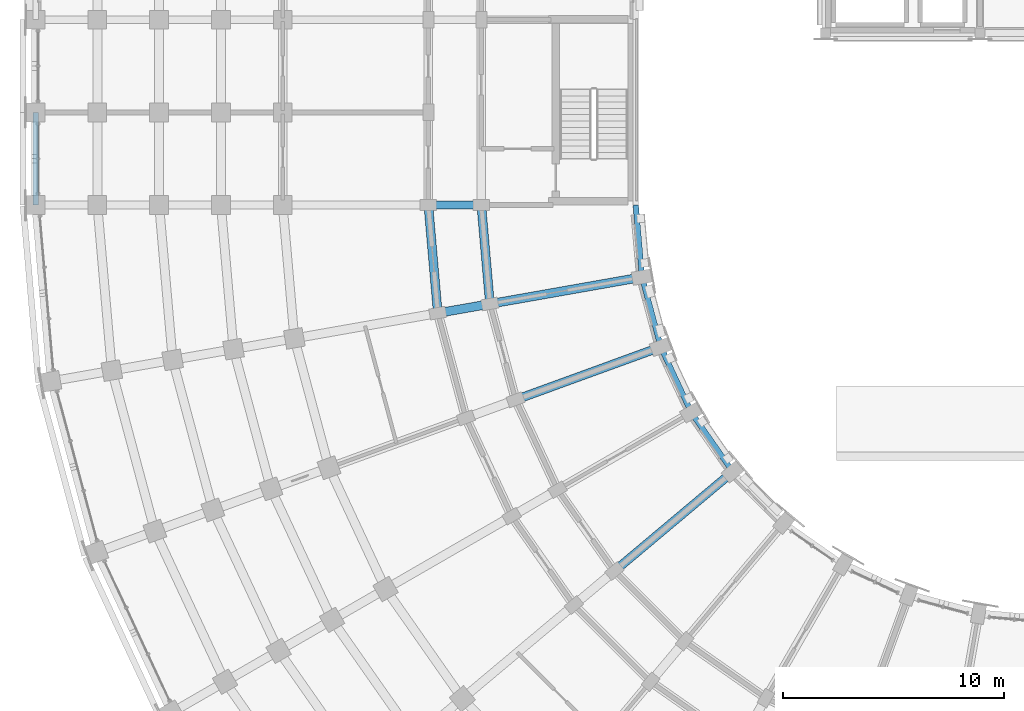
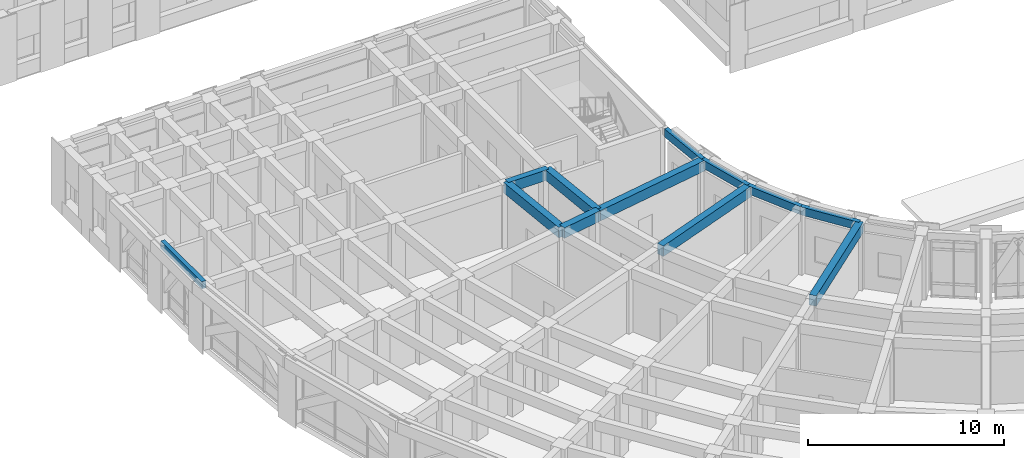
# One storey, part 12 of 97: 12 beams.
"""IFC4 building model written with IfcOpenShell, lengths in metres."""

from ifc_helpers import new_model, si_unit, direction, frame, origin, origin_2d, place, context, subcontext, project, spatial, rectangle, extrude, material, material_profile, profile_set, type_object, element, save


model = new_model("IFC4")

# Units and contexts
model_context = context("Model", 3, precision=1e-05, world=origin(), true_north=direction((0.0, 1.0)))
body_context = subcontext(model_context, "Body", "Model", "MODEL_VIEW")
ifc_project = project(units=[si_unit("LENGTHUNIT", "METRE"), si_unit("AREAUNIT", "SQUARE_METRE"), si_unit("VOLUMEUNIT", "CUBIC_METRE"), si_unit("PLANEANGLEUNIT", "RADIAN"), si_unit("MASSUNIT", "GRAM", prefix="KILO")], contexts=[model_context])

# Site, building, storey
site_placement = place(None, origin())
site = spatial("IfcSite", under=ifc_project, at=site_placement, CompositionType="ELEMENT")
building_placement = place(site_placement, origin())
building = spatial("IfcBuilding", under=site, at=building_placement, Name="Kiranvali Square Residences", CompositionType="ELEMENT")
storey_placement = place(building_placement, frame((0.0, 0.0, 4.5)))
storey = spatial("IfcBuildingStorey", under=building, at=storey_placement, Name="L01", CompositionType="ELEMENT", Elevation=4.5)

# Beams
ifc_material_1 = material(Name="Concrete M40 (40 MPa)", Category="concrete")
ifc_material_profile_1 = material_profile(ifc_material_1, rectangle(XDim=0.35009765625, YDim=0.64990234375, at=origin_2d()), Name="RC 350x650")
ifc_profile_set_1 = profile_set([ifc_material_profile_1], Name="Concrete M40 (40 MPa)")
beam_type_1 = type_object("IfcBeamType", Name="BM-M40-350x650", PredefinedType="BEAM", material=ifc_profile_set_1)
beam_1_placement = place(storey_placement, frame((22.39990234375, 48.199951171875, 3.655029296875), z_axis=(-1.0, 0.0, 0.0), x_axis=(0.0, -1.0, 0.0)))
element("IfcBeam", 1, at=beam_1_placement, inside=storey, type_object=beam_type_1, Name="L01 beam BM-C-L01-A2T0-12", PredefinedType="BEAM", context=body_context, shape_type="SweptSolid", body=[
    extrude(rectangle(XDim=0.35009765625, YDim=0.64990234375, at=origin_2d()), origin(), (0.0, 0.0, 1.0), 2.39990234375),
])
ifc_material_2 = material(Name="Concrete M45 (45 MPa)", Category="concrete")
ifc_material_profile_2 = material_profile(ifc_material_2, rectangle(XDim=0.39990234375, YDim=0.64990234375, at=origin_2d()), Name="RC 400x650")
ifc_profile_set_2 = profile_set([ifc_material_profile_2], Name="Concrete M45 (45 MPa)")
beam_type_2 = type_object("IfcBeamType", Name="BM-M45-400x650", PredefinedType="BEAM", material=ifc_profile_set_2)
beam_2_placement = place(storey_placement, frame((22.7919921875, 43.719970703125, 3.655029296875), z_axis=(-0.087187153726, 0.996191949488, 0.0), x_axis=(-0.996191949488, -0.087187153726, 0.0)))
element("IfcBeam", 2, at=beam_2_placement, inside=storey, type_object=beam_type_2, Name="L01 beam BM-C-L01-C08-R1", PredefinedType="BEAM", context=body_context, shape_type="SweptSolid", body=[
    extrude(rectangle(XDim=0.39990234375, YDim=0.64990234375, at=origin_2d()), origin(), (0.0, 0.0, 1.0), 4.4970703125),
])
beam_3_placement = place(storey_placement, frame((20.428466796875, 43.30322265625, 3.655029296875), z_axis=(-0.087167566415, 0.996193663584, 0.0), x_axis=(-0.996193663584, -0.087167566415, 0.0)))
element("IfcBeam", 3, at=beam_3_placement, inside=storey, type_object=beam_type_2, Name="L01 beam BM-C-L01-C08-R2", PredefinedType="BEAM", context=body_context, shape_type="SweptSolid", body=[
    extrude(rectangle(XDim=0.39990234375, YDim=0.64990234375, at=origin_2d()), origin(), (0.0, 0.0, 1.0), 4.91552734375),
])
for number, where, z_axis, x_axis, name in (
    (4, (33.79833984375, 36.115478515625, 3.655029296875), (-0.766044173478, -0.642787931032, 0.0), (0.642787931032, -0.766044173478, 0.0), "L01 beam BM-C-L01-RAD05-01"),
    (5, (30.53369140625, 41.77001953125, 3.655029296875), (-0.939697665127, -0.342006283793, 0.0), (0.342006283793, -0.939697665127, 0.0), "L01 beam BM-C-L01-RAD07-01"),
):
    element("IfcBeam", number, at=place(storey_placement, frame(where, z_axis=z_axis, x_axis=x_axis)), inside=storey, type_object=beam_type_2, Name=name, PredefinedType="BEAM", context=body_context, shape_type="SweptSolid", body=[
        extrude(rectangle(XDim=0.39990234375, YDim=0.64990234375, at=origin_2d()), origin(), (0.0, 0.0, 1.0), 7.0),
    ])
beam_4_placement = place(storey_placement, frame((29.685546875, 44.935302734375, 3.655029296875), z_axis=(-0.984812337125, -0.173622177865, 0.0), x_axis=(0.173622177865, -0.984812337125, 0.0)))
element("IfcBeam", 6, at=beam_4_placement, inside=storey, type_object=beam_type_2, Name="L01 beam BM-C-L01-RAD08-01", PredefinedType="BEAM", context=body_context, shape_type="SweptSolid", body=[
    extrude(rectangle(XDim=0.39990234375, YDim=0.64990234375, at=origin_2d()), origin(), (0.0, 0.0, 1.0), 6.999755859375),
])
beam_5_placement = place(storey_placement, frame((22.7919921875, 43.719970703125, 3.655029296875), z_axis=(-0.984808127031, -0.173646056486, 0.0), x_axis=(0.173646056486, -0.984808127031, 0.0)))
element("IfcBeam", 7, at=beam_5_placement, inside=storey, type_object=beam_type_2, Name="L01 beam BM-C-L01-RAD08-12", PredefinedType="BEAM", context=body_context, shape_type="SweptSolid", body=[
    extrude(rectangle(XDim=0.39990234375, YDim=0.64990234375, at=origin_2d()), origin(), (0.0, 0.0, 1.0), 2.39990234375),
])
ifc_material_profile_3 = material_profile(ifc_material_1, rectangle(XDim=0.25, YDim=0.449951171875, at=origin_2d()), Name="RC 250x450")
ifc_profile_set_3 = profile_set([ifc_material_profile_3], Name="Concrete M40 (40 MPa)")
beam_type_3 = type_object("IfcBeamType", Name="SPN-M40-250x450", PredefinedType="SPANDREL", material=ifc_profile_set_3)
beam_6_placement = place(storey_placement, frame((2.199951171875, 48.199951171875, 3.7548828125), z_axis=(0.0, 1.0, 0.0), x_axis=(-1.0, 0.0, 0.0)))
element("IfcBeam", 8, at=beam_6_placement, inside=storey, type_object=beam_type_3, Name="L01 beam BM-C-L01-A2V0-R7", PredefinedType="SPANDREL", context=body_context, shape_type="SweptSolid", body=[
    extrude(rectangle(XDim=0.25, YDim=0.449951171875, at=origin_2d()), origin(), (0.0, 0.0, 1.0), 4.199951171875),
])
ifc_material_profile_4 = material_profile(ifc_material_1, rectangle(XDim=0.25, YDim=0.5, at=origin_2d()), Name="RC 250x500")
ifc_profile_set_4 = profile_set([ifc_material_profile_4], Name="Concrete M40 (40 MPa)")
beam_type_4 = type_object("IfcBeamType", Name="SPN-M40-250x500", PredefinedType="SPANDREL", material=ifc_profile_set_4)
for number, where, z_axis, x_axis, name in (
    (9, (33.79833984375, 36.115478515625, 3.72998046875), (-0.573552337269, 0.81916891812, 0.0), (-0.81916891812, -0.573552337269, 0.0), "L01 beam BM-C-L01-C05-R0"),
    (10, (31.918701171875, 38.800048828125, 3.72998046875), (-0.422640740585, 0.90629730464, 0.0), (-0.90629730464, -0.422640740585, 0.0), "L01 beam BM-C-L01-C06-R0"),
):
    element("IfcBeam", number, at=place(storey_placement, frame(where, z_axis=z_axis, x_axis=x_axis)), inside=storey, type_object=beam_type_4, Name=name, PredefinedType="SPANDREL", context=body_context, shape_type="SweptSolid", body=[
        extrude(rectangle(XDim=0.25, YDim=0.5, at=origin_2d()), origin(), (0.0, 0.0, 1.0), 3.277099609375),
    ])
beam_7_placement = place(storey_placement, frame((30.53369140625, 41.77001953125, 3.72998046875), z_axis=(-0.258821736607, 0.965925105099, 0.0), x_axis=(-0.965925105099, -0.258821736607, 0.0)))
element("IfcBeam", 11, at=beam_7_placement, inside=storey, type_object=beam_type_4, Name="L01 beam BM-C-L01-C07-R0", PredefinedType="SPANDREL", context=body_context, shape_type="SweptSolid", body=[
    extrude(rectangle(XDim=0.25, YDim=0.5, at=origin_2d()), origin(), (0.0, 0.0, 1.0), 3.27685546875),
])
beam_8_placement = place(storey_placement, frame((29.685546875, 44.935302734375, 3.72998046875), z_axis=(-0.087163253657, 0.996194040944, 0.0), x_axis=(-0.996194040944, -0.087163253657, 0.0)))
element("IfcBeam", 12, at=beam_8_placement, inside=storey, type_object=beam_type_4, Name="L01 beam BM-C-L01-C08-R0", PredefinedType="SPANDREL", context=body_context, shape_type="SweptSolid", body=[
    extrude(rectangle(XDim=0.25, YDim=0.5, at=origin_2d()), origin(), (0.0, 0.0, 1.0), 3.277099609375),
])

save(model, "model.ifc")
